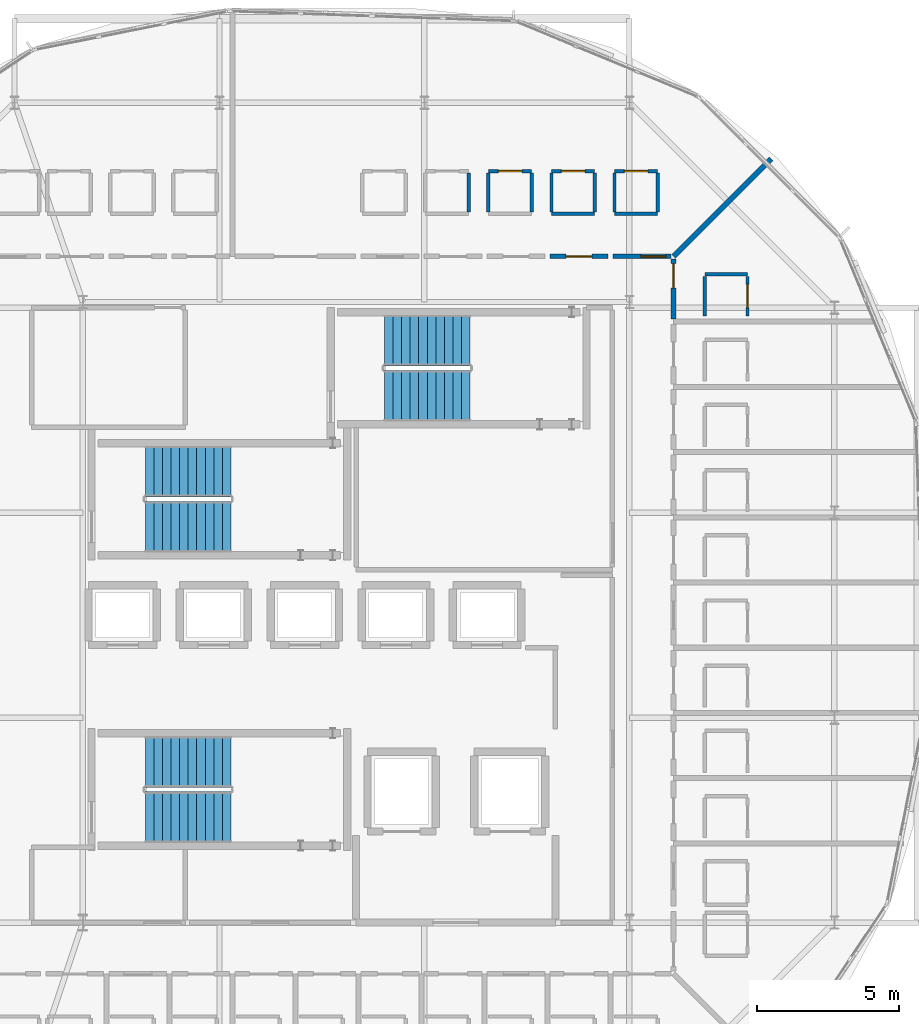
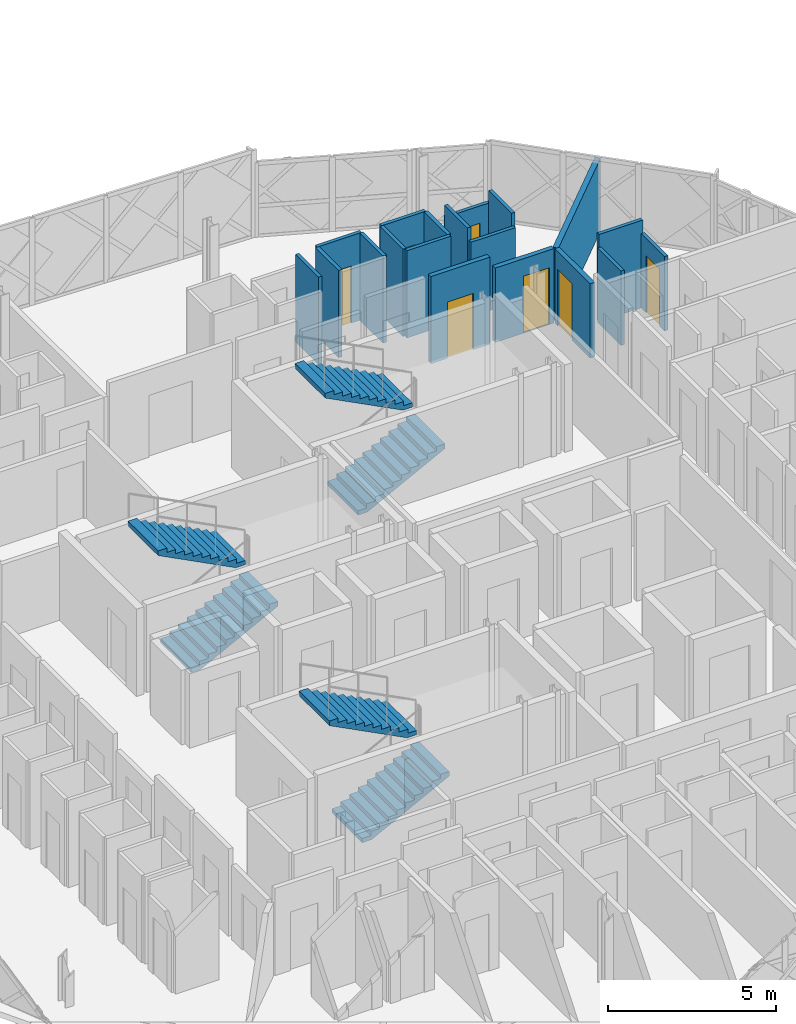
# One storey, part 20 of 25: 19 walls, 7 doors, 6 stair flights, 7 openings, 3 elements without a shape of their own.
"""IFC4 building model written with IfcOpenShell, lengths in metres."""

from ifc_helpers import new_model, si_unit, direction, frame, frame_2d, origin, place, context, subcontext, project, spatial, polyline, rectangle, outline, extrude, material, layer, layer_set, type_object, element, fill, aggregate, save


model = new_model("IFC4")

# Units and contexts
model_context = context("Model", 3, precision=1e-05, world=origin(), true_north=direction((0.0, 1.0)))
body_context = subcontext(model_context, "Body", "Model", "MODEL_VIEW")
ifc_project = project(units=[si_unit("LENGTHUNIT", "METRE"), si_unit("AREAUNIT", "SQUARE_METRE"), si_unit("VOLUMEUNIT", "CUBIC_METRE"), si_unit("PLANEANGLEUNIT", "RADIAN"), si_unit("MASSUNIT", "GRAM", prefix="KILO")], contexts=[model_context])

# Site, building, storey
site_placement = place(None, origin())
site = spatial("IfcSite", under=ifc_project, at=site_placement, CompositionType="ELEMENT")
building_placement = place(site_placement, origin())
building = spatial("IfcBuilding", under=site, at=building_placement, Name="Zevrakil Square Congress Hotel", CompositionType="ELEMENT")
storey_placement = place(building_placement, frame((0.0, 0.0, 28.300048828125)))
storey = spatial("IfcBuildingStorey", under=building, at=storey_placement, Name="L08", CompositionType="ELEMENT", Elevation=28.300048828125)

# Wall, opening, door
ifc_material_1 = material(Name="Gypsum Acoustic Stud Partition")
ifc_layer_1 = layer(ifc_material_1, 0.159912109375)
ifc_layer_set_1 = layer_set([ifc_layer_1], Name="Gypsum Acoustic Stud Partition")
wall_type_1 = type_object("IfcWallType", Name="WAL-CORR-160", PredefinedType="PARTITIONING", material=ifc_layer_set_1)
wall_1_placement = place(storey_placement, frame((157.550048828125, 38.004150390625, 0.0), z_axis=(0.0, 0.0, 1.0), x_axis=(0.0, 1.0, 0.0)))
wall_1 = element("IfcWall", 1, at=wall_1_placement, inside=storey, type_object=wall_type_1, Name="L08 interior partition PW-L08-1241", PredefinedType="PARTITIONING", context=body_context, shape_type="SweptSolid", body=[
    extrude(rectangle(XDim=2.100830078125, YDim=0.159912109375, at=frame_2d((1.05029296875, 0.0))), origin(), (0.0, 0.0, 1.0), 2.7099609375),
])
opening_1_placement = place(wall_1_placement, frame((1.0859375, 0.0, 0.0)))
opening_1 = element("IfcOpeningElement", 2, at=opening_1_placement, cuts=wall_1, Name="Opening ID-G01", PredefinedType="OPENING", context=body_context, shape_type="SweptSolid", body=[
    extrude(rectangle(XDim=0.85498046875, YDim=2.050048828125, at=frame_2d((0.427490234375, 1.02490234375))), frame((0.0, 0.08984375, 0.0), z_axis=(0.0, -1.0, 0.0), x_axis=(1.0, 0.0, 0.0)), (0.0, 0.0, 1.0), 0.179931640625),
])
ifc_material_2 = material(Name="Acoustic Timber Fire Door", Category="wood")
door_type_1 = type_object("IfcDoorType", Name="DOR-INT-G01", OperationType="NOTDEFINED", PredefinedType="DOOR", material=ifc_material_2)
door_1_placement = place(opening_1_placement, origin())
door_1 = element("IfcDoor", 3, at=door_1_placement, inside=storey, type_object=door_type_1, Name="L08 interior door 485", OperationType="SINGLE_SWING_LEFT", OverallHeight=2.050048828125, OverallWidth=0.85498046875, PredefinedType="DOOR", context=body_context, shape_type="SweptSolid", body=[
    extrude(rectangle(XDim=0.85498046875, YDim=2.050048828125, at=frame_2d((0.427490234375, 1.02490234375))), frame((0.0, 0.02490234375, 0.0), z_axis=(0.0, -1.0, 0.0), x_axis=(1.0, 0.0, 0.0)), (0.0, 0.0, 1.0), 0.050048828125),
])
fill(opening_1, door_1)

wall_2_placement = place(storey_placement, frame((155.431396484375, 40.199951171875, 0.0), z_axis=(0.0, 0.0, 1.0), x_axis=(1.0, 0.0, 0.0)))
wall_2 = element("IfcWall", 4, at=wall_2_placement, inside=storey, type_object=wall_type_1, Name="L08 interior partition PW-L08-1246", PredefinedType="PARTITIONING", context=body_context, shape_type="SweptSolid", body=[
    extrude(rectangle(XDim=2.023681640625, YDim=0.159912109375, at=frame_2d((1.01171875, 0.0))), origin(), (0.0, 0.0, 1.0), 2.7099609375),
])
opening_2_placement = place(wall_2_placement, frame((0.9755859375, 0.0, 0.0)))
opening_2 = element("IfcOpeningElement", 5, at=opening_2_placement, cuts=wall_2, Name="Opening ID-H04", PredefinedType="OPENING", context=body_context, shape_type="SweptSolid", body=[
    extrude(rectangle(XDim=0.887939453125, YDim=2.070068359375, at=frame_2d((0.44384765625, 1.03515625))), frame((0.0, 0.08984375, 0.0), z_axis=(0.0, -1.0, 0.0), x_axis=(1.0, 0.0, 0.0)), (0.0, 0.0, 1.0), 0.179931640625),
])
ifc_material_3 = material(Name="Acoustic Timber Fire Door", Category="wood")
door_type_2 = type_object("IfcDoorType", Name="DOR-INT-H04", OperationType="NOTDEFINED", PredefinedType="DOOR", material=ifc_material_3)
door_2_placement = place(opening_2_placement, origin())
door_2 = element("IfcDoor", 6, at=door_2_placement, inside=storey, type_object=door_type_2, Name="L08 interior door 487", OperationType="SINGLE_SWING_LEFT", OverallHeight=2.070068359375, OverallWidth=0.887939453125, PredefinedType="DOOR", context=body_context, shape_type="SweptSolid", body=[
    extrude(rectangle(XDim=0.887939453125, YDim=2.070068359375, at=frame_2d((0.44384765625, 1.03515625))), frame((0.0, 0.02490234375, 0.0), z_axis=(0.0, -1.0, 0.0), x_axis=(1.0, 0.0, 0.0)), (0.0, 0.0, 1.0), 0.050048828125),
])
fill(opening_2, door_2)

wall_3_placement = place(storey_placement, frame((153.2177734375, 40.199951171875, 0.0), z_axis=(0.0, 0.0, 1.0), x_axis=(1.0, 0.0, 0.0)))
wall_3 = element("IfcWall", 7, at=wall_3_placement, inside=storey, type_object=wall_type_1, Name="L08 interior partition PW-L08-1251", PredefinedType="PARTITIONING", context=body_context, shape_type="SweptSolid", body=[
    extrude(rectangle(XDim=2.023681640625, YDim=0.159912109375, at=frame_2d((1.01171875, 0.0))), origin(), (0.0, 0.0, 1.0), 3.175048828125),
])
opening_3_placement = place(wall_3_placement, frame((0.559326171875, 0.0, 0.0)))
opening_3 = element("IfcOpeningElement", 8, at=opening_3_placement, cuts=wall_3, Name="Opening ID-G03", PredefinedType="OPENING", context=body_context, shape_type="SweptSolid", body=[
    extrude(rectangle(XDim=0.905029296875, YDim=2.050048828125, at=frame_2d((0.45263671875, 1.02490234375))), frame((0.0, 0.08984375, 0.0), z_axis=(0.0, -1.0, 0.0), x_axis=(1.0, 0.0, 0.0)), (0.0, 0.0, 1.0), 0.179931640625),
])
ifc_material_4 = material(Name="Acoustic Timber Fire Door", Category="wood")
door_type_3 = type_object("IfcDoorType", Name="DOR-INT-G03", OperationType="NOTDEFINED", PredefinedType="DOOR", material=ifc_material_4)
door_3_placement = place(opening_3_placement, origin())
door_3 = element("IfcDoor", 9, at=door_3_placement, inside=storey, type_object=door_type_3, Name="L08 interior door 489", OperationType="SINGLE_SWING_LEFT", OverallHeight=2.050048828125, OverallWidth=0.905029296875, PredefinedType="DOOR", context=body_context, shape_type="SweptSolid", body=[
    extrude(rectangle(XDim=0.905029296875, YDim=2.050048828125, at=frame_2d((0.45263671875, 1.02490234375))), frame((0.0, 0.02490234375, 0.0), z_axis=(0.0, -1.0, 0.0), x_axis=(1.0, 0.0, 0.0)), (0.0, 0.0, 1.0), 0.050048828125),
])
fill(opening_3, door_3)

# Walls
ifc_material_5 = material(Name="Moisture-Resistant Gypsum Partition")
ifc_layer_2 = layer(ifc_material_5, 0.1201171875)
ifc_layer_set_2 = layer_set([ifc_layer_2], Name="Moisture-Resistant Gypsum Partition")
wall_type_2 = type_object("IfcWallType", Name="WAL-ENS-120", PredefinedType="PARTITIONING", material=ifc_layer_set_2)
wall_4_placement = place(storey_placement, frame((158.64990234375, 39.569091796875, 0.0), z_axis=(0.0, 0.0, 1.0), x_axis=(1.0, 0.0, 0.0)))
element("IfcWall", 10, at=wall_4_placement, inside=storey, type_object=wall_type_2, Name="L08 interior partition PW-L08-1242", PredefinedType="PARTITIONING", context=body_context, shape_type="SweptSolid", body=[
    extrude(rectangle(XDim=1.5, YDim=0.1201171875, at=frame_2d((0.75, 0.0))), origin(), (0.0, 0.0, 1.0), 3.175048828125),
])
wall_5_placement = place(storey_placement, frame((158.64990234375, 38.114013671875, 0.0), z_axis=(0.0, 0.0, 1.0), x_axis=(0.0, 1.0, 0.0)))
element("IfcWall", 11, at=wall_5_placement, inside=storey, type_object=wall_type_2, Name="L08 interior partition PW-L08-1243", PredefinedType="PARTITIONING", context=body_context, shape_type="SweptSolid", body=[
    extrude(rectangle(XDim=1.39013671875, YDim=0.1201171875, at=frame_2d((0.695068359375, 0.0))), origin(), (0.0, 0.0, 1.0), 2.7099609375),
])

# Wall, opening, door
wall_6_placement = place(storey_placement, frame((160.14990234375, 38.114013671875, 0.0), z_axis=(0.0, 0.0, 1.0), x_axis=(0.0, 1.0, 0.0)))
wall_6 = element("IfcWall", 12, at=wall_6_placement, inside=storey, type_object=wall_type_2, Name="L08 interior partition PW-L08-1244", PredefinedType="PARTITIONING", context=body_context, shape_type="SweptSolid", body=[
    extrude(rectangle(XDim=1.39013671875, YDim=0.1201171875, at=frame_2d((0.695068359375, 0.0))), origin(), (0.0, 0.0, 1.0), 2.7099609375),
])
opening_4_placement = place(wall_6_placement, frame((0.284912109375, 0.0, 0.0)))
opening_4 = element("IfcOpeningElement", 13, at=opening_4_placement, cuts=wall_6, Name="Opening ID-11", PredefinedType="OPENING", context=body_context, shape_type="SweptSolid", body=[
    extrude(rectangle(XDim=0.820068359375, YDim=2.080078125, at=frame_2d((0.41015625, 1.0400390625))), frame((0.0, 0.070068359375, 0.0), z_axis=(0.0, -1.0, 0.0), x_axis=(1.0, 0.0, 0.0)), (0.0, 0.0, 1.0), 0.14013671875),
])
ifc_material_6 = material(Name="Acoustic Timber Door", Category="wood")
door_type_4 = type_object("IfcDoorType", Name="DOR-INT-V01", OperationType="NOTDEFINED", PredefinedType="DOOR", material=ifc_material_6)
door_4_placement = place(opening_4_placement, origin())
door_4 = element("IfcDoor", 14, at=door_4_placement, inside=storey, type_object=door_type_4, Name="L08 interior door 486", OperationType="SINGLE_SWING_RIGHT", OverallHeight=2.080078125, OverallWidth=0.820068359375, PredefinedType="DOOR", context=body_context, shape_type="SweptSolid", body=[
    extrude(rectangle(XDim=0.820068359375, YDim=2.080078125, at=frame_2d((0.41015625, 1.0400390625))), frame((0.0, 0.02490234375, 0.0), z_axis=(0.0, -1.0, 0.0), x_axis=(1.0, 0.0, 0.0)), (0.0, 0.0, 1.0), 0.050048828125),
])
fill(opening_4, door_4)

# Wall
wall_7_placement = place(storey_placement, frame((155.476318359375, 41.699951171875, 0.0), z_axis=(0.0, 0.0, 1.0), x_axis=(1.0, 0.0, 0.0)))
element("IfcWall", 15, at=wall_7_placement, inside=storey, type_object=wall_type_2, Name="L08 interior partition PW-L08-1247", PredefinedType="PARTITIONING", context=body_context, shape_type="SweptSolid", body=[
    extrude(rectangle(XDim=1.52001953125, YDim=0.1201171875, at=frame_2d((0.760009765625, 0.0))), origin(), (0.0, 0.0, 1.0), 2.7099609375),
])

# Wall, opening, door
wall_8_placement = place(storey_placement, frame((155.476318359375, 43.199951171875, 0.0), z_axis=(0.0, 0.0, 1.0), x_axis=(1.0, 0.0, 0.0)))
wall_8 = element("IfcWall", 16, at=wall_8_placement, inside=storey, type_object=wall_type_2, Name="L08 interior partition PW-L08-1248", PredefinedType="PARTITIONING", context=body_context, shape_type="SweptSolid", body=[
    extrude(rectangle(XDim=1.52001953125, YDim=0.1201171875, at=frame_2d((0.760009765625, 0.0))), origin(), (0.0, 0.0, 1.0), 2.7099609375),
])
opening_5_placement = place(wall_8_placement, frame((0.35009765625, 0.0, 0.0)))
opening_5 = element("IfcOpeningElement", 17, at=opening_5_placement, cuts=wall_8, Name="Opening ID-11", PredefinedType="OPENING", context=body_context, shape_type="SweptSolid", body=[
    extrude(rectangle(XDim=0.820068359375, YDim=2.080078125, at=frame_2d((0.41015625, 1.0400390625))), frame((0.0, 0.070068359375, 0.0), z_axis=(0.0, -1.0, 0.0), x_axis=(1.0, 0.0, 0.0)), (0.0, 0.0, 1.0), 0.14013671875),
])
door_5_placement = place(opening_5_placement, origin())
door_5 = element("IfcDoor", 18, at=door_5_placement, inside=storey, type_object=door_type_4, Name="L08 interior door 488", OperationType="SINGLE_SWING_RIGHT", OverallHeight=2.080078125, OverallWidth=0.820068359375, PredefinedType="DOOR", context=body_context, shape_type="SweptSolid", body=[
    extrude(rectangle(XDim=0.820068359375, YDim=2.080078125, at=frame_2d((0.41015625, 1.0400390625))), frame((0.0, 0.02490234375, 0.0), z_axis=(0.0, -1.0, 0.0), x_axis=(1.0, 0.0, 0.0)), (0.0, 0.0, 1.0), 0.050048828125),
])
fill(opening_5, door_5)

# Walls
for number, where, z_axis, x_axis, name in (
    (19, (155.476318359375, 41.764892578125, 0.0), (0.0, 0.0, 1.0), (0.0, 1.0, 0.0), "L08 interior partition PW-L08-1249"),
    (20, (156.996337890625, 41.764892578125, 0.0), (0.0, 0.0, 1.0), (0.0, 1.0, 0.0), "L08 interior partition PW-L08-1250"),
):
    element("IfcWall", number, at=place(storey_placement, frame(where, z_axis=z_axis, x_axis=x_axis)), inside=storey, type_object=wall_type_2, Name=name, PredefinedType="PARTITIONING", context=body_context, shape_type="SweptSolid", body=[
        extrude(rectangle(XDim=1.3701171875, YDim=0.1201171875, at=frame_2d((0.68505859375, 0.0))), origin(), (0.0, 0.0, 1.0), 3.175048828125),
    ])
wall_9_placement = place(storey_placement, frame((153.2626953125, 41.699951171875, 0.0), z_axis=(0.0, 0.0, 1.0), x_axis=(1.0, 0.0, 0.0)))
element("IfcWall", 21, at=wall_9_placement, inside=storey, type_object=wall_type_2, Name="L08 interior partition PW-L08-1252", PredefinedType="PARTITIONING", context=body_context, shape_type="SweptSolid", body=[
    extrude(rectangle(XDim=1.52001953125, YDim=0.1201171875, at=frame_2d((0.760009765625, 0.0))), origin(), (0.0, 0.0, 1.0), 3.175048828125),
])

# Wall, opening, door
wall_10_placement = place(storey_placement, frame((153.2626953125, 43.199951171875, 0.0), z_axis=(0.0, 0.0, 1.0), x_axis=(1.0, 0.0, 0.0)))
wall_10 = element("IfcWall", 22, at=wall_10_placement, inside=storey, type_object=wall_type_2, Name="L08 interior partition PW-L08-1253", PredefinedType="PARTITIONING", context=body_context, shape_type="SweptSolid", body=[
    extrude(rectangle(XDim=1.52001953125, YDim=0.1201171875, at=frame_2d((0.760009765625, 0.0))), origin(), (0.0, 0.0, 1.0), 3.175048828125),
])
opening_6_placement = place(wall_10_placement, frame((0.35009765625, 0.0, 0.0)))
opening_6 = element("IfcOpeningElement", 23, at=opening_6_placement, cuts=wall_10, Name="Opening ID-11", PredefinedType="OPENING", context=body_context, shape_type="SweptSolid", body=[
    extrude(rectangle(XDim=0.820068359375, YDim=2.080078125, at=frame_2d((0.41015625, 1.0400390625))), frame((0.0, 0.070068359375, 0.0), z_axis=(0.0, -1.0, 0.0), x_axis=(1.0, 0.0, 0.0)), (0.0, 0.0, 1.0), 0.14013671875),
])
door_6_placement = place(opening_6_placement, origin())
door_6 = element("IfcDoor", 24, at=door_6_placement, inside=storey, type_object=door_type_4, Name="L08 interior door 490", OperationType="SINGLE_SWING_RIGHT", OverallHeight=2.080078125, OverallWidth=0.820068359375, PredefinedType="DOOR", context=body_context, shape_type="SweptSolid", body=[
    extrude(rectangle(XDim=0.820068359375, YDim=2.080078125, at=frame_2d((0.41015625, 1.0400390625))), frame((0.0, 0.02490234375, 0.0), z_axis=(0.0, -1.0, 0.0), x_axis=(1.0, 0.0, 0.0)), (0.0, 0.0, 1.0), 0.050048828125),
])
fill(opening_6, door_6)

# Walls
for number, where, z_axis, x_axis, name in (
    (25, (153.2626953125, 41.764892578125, 0.0), (0.0, 0.0, 1.0), (0.0, 1.0, 0.0), "L08 interior partition PW-L08-1254"),
    (26, (154.78271484375, 41.764892578125, 0.0), (0.0, 0.0, 1.0), (0.0, 1.0, 0.0), "L08 interior partition PW-L08-1255"),
):
    element("IfcWall", number, at=place(storey_placement, frame(where, z_axis=z_axis, x_axis=x_axis)), inside=storey, type_object=wall_type_2, Name=name, PredefinedType="PARTITIONING", context=body_context, shape_type="SweptSolid", body=[
        extrude(rectangle(XDim=1.3701171875, YDim=0.1201171875, at=frame_2d((0.68505859375, 0.0))), origin(), (0.0, 0.0, 1.0), 3.175048828125),
    ])

# Wall, opening, door
wall_11_placement = place(storey_placement, frame((151.049072265625, 43.199951171875, 0.0), z_axis=(0.0, 0.0, 1.0), x_axis=(1.0, 0.0, 0.0)))
wall_11 = element("IfcWall", 27, at=wall_11_placement, inside=storey, type_object=wall_type_2, Name="L08 interior partition PW-L08-1258", PredefinedType="PARTITIONING", context=body_context, shape_type="SweptSolid", body=[
    extrude(rectangle(XDim=1.52001953125, YDim=0.1201171875, at=frame_2d((0.760009765625, 0.0))), origin(), (0.0, 0.0, 1.0), 3.175048828125),
])
opening_7_placement = place(wall_11_placement, frame((0.35009765625, 0.0, 0.0)))
opening_7 = element("IfcOpeningElement", 28, at=opening_7_placement, cuts=wall_11, Name="Opening ID-11", PredefinedType="OPENING", context=body_context, shape_type="SweptSolid", body=[
    extrude(rectangle(XDim=0.820068359375, YDim=2.080078125, at=frame_2d((0.41015625, 1.0400390625))), frame((0.0, 0.070068359375, 0.0), z_axis=(0.0, -1.0, 0.0), x_axis=(1.0, 0.0, 0.0)), (0.0, 0.0, 1.0), 0.14013671875),
])
door_7_placement = place(opening_7_placement, origin())
door_7 = element("IfcDoor", 29, at=door_7_placement, inside=storey, type_object=door_type_4, Name="L08 interior door 492", OperationType="SINGLE_SWING_RIGHT", OverallHeight=2.080078125, OverallWidth=0.820068359375, PredefinedType="DOOR", context=body_context, shape_type="SweptSolid", body=[
    extrude(rectangle(XDim=0.820068359375, YDim=2.080078125, at=frame_2d((0.41015625, 1.0400390625))), frame((0.0, 0.02490234375, 0.0), z_axis=(0.0, -1.0, 0.0), x_axis=(1.0, 0.0, 0.0)), (0.0, 0.0, 1.0), 0.050048828125),
])
fill(opening_7, door_7)

# Walls
for number, where, z_axis, x_axis, name in (
    (30, (151.049072265625, 41.764892578125, 0.0), (0.0, 0.0, 1.0), (0.0, 1.0, 0.0), "L08 interior partition PW-L08-1259"),
    (31, (152.569091796875, 41.764892578125, 0.0), (0.0, 0.0, 1.0), (0.0, 1.0, 0.0), "L08 interior partition PW-L08-1260"),
    (32, (150.35546875, 41.764892578125, 0.0), (0.0, 0.0, 1.0), (0.0, 1.0, 0.0), "L08 interior partition PW-L08-1265"),
):
    element("IfcWall", number, at=place(storey_placement, frame(where, z_axis=z_axis, x_axis=x_axis)), inside=storey, type_object=wall_type_2, Name=name, PredefinedType="PARTITIONING", context=body_context, shape_type="SweptSolid", body=[
        extrude(rectangle(XDim=1.3701171875, YDim=0.1201171875, at=frame_2d((0.68505859375, 0.0))), origin(), (0.0, 0.0, 1.0), 3.175048828125),
    ])
ifc_material_7 = material(Name="Gypsum Twin-Stud Party Partition")
ifc_layer_3 = layer(ifc_material_7, 0.179931640625)
ifc_layer_set_3 = layer_set([ifc_layer_3], Name="Gypsum Twin-Stud Party Partition")
wall_type_3 = type_object("IfcWallType", Name="WAL-PARTY-180", PredefinedType="PARTITIONING", material=ifc_layer_set_3)
wall_12_placement = place(storey_placement, frame((157.550048828125, 40.199951171875, 0.0), z_axis=(0.0, 0.0, 1.0), x_axis=(0.707106781187, 0.707106781187, 0.0)))
element("IfcWall", 33, at=wall_12_placement, inside=storey, type_object=wall_type_3, Name="L08 interior partition PW-L08-1245", PredefinedType="PARTITIONING", context=body_context, shape_type="SweptSolid", body=[
    extrude(rectangle(XDim=4.844482421875, YDim=0.179931640625, at=frame_2d((2.42236328125, 0.0))), origin(), (0.0, 0.0, 1.0), 2.659912109375),
])

# Stair, stair flights
ifc_material_8 = material(Name="Concrete C35/45", Category="concrete")
stair_type = type_object("IfcStairType", Name="STR-DOGLEG-180", PredefinedType="HALF_TURN_STAIR", material=ifc_material_8)
stair_1_placement = place(storey_placement, origin())
stair_1 = element("IfcStair", 34, at=stair_1_placement, inside=storey, type_object=stair_type, Name="L08 Protected exit stair ST01", PredefinedType="HALF_TURN_STAIR")
ifc_material_9 = material(Name="Concrete C35/45", Category="concrete")
ifc_layer_4 = layer(ifc_material_9, 0.159912109375)
ifc_layer_set_4 = layer_set([ifc_layer_4], Name="Concrete C35/45")
stair_flight_type = type_object("IfcStairFlightType", Name="SFL-STRAIGHT-180", PredefinedType="STRAIGHT", material=ifc_layer_set_4)
stair_flight_1_placement = place(storey_placement, frame((139.0, 20.5, 0.0), z_axis=(0.0, 0.0, 1.0), x_axis=(1.0, 0.0, 0.0)))
stair_flight_1 = element("IfcStairFlight", 35, at=stair_flight_1_placement, type_object=stair_flight_type, Name="ST01 flight 1", NumberOfRisers=11, NumberOfTreads=10, PredefinedType="STRAIGHT", RiserHeight=0.154545455, TreadLength=0.3, context=body_context, shape_type="SweptSolid", body=[
    extrude(outline(polyline([(0.0, 0.0), (0.0, 0.154541015625), (0.300048828125, 0.154541015625), (0.300048828125, 0.30908203125), (0.60009765625, 0.30908203125), (0.60009765625, 0.463623046875), (0.89990234375, 0.463623046875), (0.89990234375, 0.6181640625), (1.199951171875, 0.6181640625), (1.199951171875, 0.772705078125), (1.5, 0.772705078125), (1.5, 0.92724609375), (1.800048828125, 0.92724609375), (1.800048828125, 1.081787109375), (2.10009765625, 1.081787109375), (2.10009765625, 1.236328125), (2.39990234375, 1.236328125), (2.39990234375, 1.390869140625), (2.699951171875, 1.390869140625), (2.699951171875, 1.54541015625), (3.0, 1.54541015625), (3.0, 1.699951171875), (3.0, 1.376708984375), (0.327392578125, 0.0), (0.0, 0.0)])), frame((0.0, 0.89990234375, 0.0), z_axis=(0.0, -1.0, 0.0), x_axis=(1.0, 0.0, 0.0)), (0.0, 0.0, 1.0), 1.800048828125),
])
stair_flight_2_placement = place(storey_placement, frame((142.0, 22.449951171875, 1.699951171875), z_axis=(0.0, 0.0, 1.0), x_axis=(-1.0, 0.0, 0.0)))
stair_flight_2 = element("IfcStairFlight", 36, at=stair_flight_2_placement, type_object=stair_flight_type, Name="ST01 flight 2", NumberOfRisers=11, NumberOfTreads=10, PredefinedType="STRAIGHT", RiserHeight=0.154545455, TreadLength=0.3, context=body_context, shape_type="SweptSolid", body=[
    extrude(outline(polyline([(0.0, 0.0), (0.0, 0.154541015625), (0.300048828125, 0.154541015625), (0.300048828125, 0.30908203125), (0.60009765625, 0.30908203125), (0.60009765625, 0.463623046875), (0.89990234375, 0.463623046875), (0.89990234375, 0.6181640625), (1.199951171875, 0.6181640625), (1.199951171875, 0.772705078125), (1.5, 0.772705078125), (1.5, 0.92724609375), (1.800048828125, 0.92724609375), (1.800048828125, 1.081787109375), (2.10009765625, 1.081787109375), (2.10009765625, 1.236328125), (2.39990234375, 1.236328125), (2.39990234375, 1.390869140625), (2.699951171875, 1.390869140625), (2.699951171875, 1.54541015625), (3.0, 1.54541015625), (3.0, 1.699951171875), (3.0, 1.376708984375), (0.327392578125, 0.0), (0.0, 0.0)])), frame((0.0, 0.89990234375, 0.0), z_axis=(0.0, -1.0, 0.0), x_axis=(1.0, 0.0, 0.0)), (0.0, 0.0, 1.0), 1.800048828125),
])
aggregate(stair_1, [stair_flight_1, stair_flight_2])

stair_2_placement = place(storey_placement, origin())
stair_2 = element("IfcStair", 37, at=stair_2_placement, inside=storey, type_object=stair_type, Name="L08 Protected exit stair ST02", PredefinedType="HALF_TURN_STAIR")
stair_flight_3_placement = place(storey_placement, frame((139.0, 30.699951171875, 0.0), z_axis=(0.0, 0.0, 1.0), x_axis=(1.0, 0.0, 0.0)))
stair_flight_3 = element("IfcStairFlight", 38, at=stair_flight_3_placement, type_object=stair_flight_type, Name="ST02 flight 1", NumberOfRisers=11, NumberOfTreads=10, PredefinedType="STRAIGHT", RiserHeight=0.154545455, TreadLength=0.3, context=body_context, shape_type="SweptSolid", body=[
    extrude(outline(polyline([(0.0, 0.0), (0.0, 0.154541015625), (0.300048828125, 0.154541015625), (0.300048828125, 0.30908203125), (0.60009765625, 0.30908203125), (0.60009765625, 0.463623046875), (0.89990234375, 0.463623046875), (0.89990234375, 0.6181640625), (1.199951171875, 0.6181640625), (1.199951171875, 0.772705078125), (1.5, 0.772705078125), (1.5, 0.92724609375), (1.800048828125, 0.92724609375), (1.800048828125, 1.081787109375), (2.10009765625, 1.081787109375), (2.10009765625, 1.236328125), (2.39990234375, 1.236328125), (2.39990234375, 1.390869140625), (2.699951171875, 1.390869140625), (2.699951171875, 1.54541015625), (3.0, 1.54541015625), (3.0, 1.699951171875), (3.0, 1.376708984375), (0.327392578125, 0.0), (0.0, 0.0)])), frame((0.0, 0.89990234375, 0.0), z_axis=(0.0, -1.0, 0.0), x_axis=(1.0, 0.0, 0.0)), (0.0, 0.0, 1.0), 1.800048828125),
])
stair_flight_4_placement = place(storey_placement, frame((142.0, 32.64990234375, 1.699951171875), z_axis=(0.0, 0.0, 1.0), x_axis=(-1.0, 0.0, 0.0)))
stair_flight_4 = element("IfcStairFlight", 39, at=stair_flight_4_placement, type_object=stair_flight_type, Name="ST02 flight 2", NumberOfRisers=11, NumberOfTreads=10, PredefinedType="STRAIGHT", RiserHeight=0.154545455, TreadLength=0.3, context=body_context, shape_type="SweptSolid", body=[
    extrude(outline(polyline([(0.0, 0.0), (0.0, 0.154541015625), (0.300048828125, 0.154541015625), (0.300048828125, 0.30908203125), (0.60009765625, 0.30908203125), (0.60009765625, 0.463623046875), (0.89990234375, 0.463623046875), (0.89990234375, 0.6181640625), (1.199951171875, 0.6181640625), (1.199951171875, 0.772705078125), (1.5, 0.772705078125), (1.5, 0.92724609375), (1.800048828125, 0.92724609375), (1.800048828125, 1.081787109375), (2.10009765625, 1.081787109375), (2.10009765625, 1.236328125), (2.39990234375, 1.236328125), (2.39990234375, 1.390869140625), (2.699951171875, 1.390869140625), (2.699951171875, 1.54541015625), (3.0, 1.54541015625), (3.0, 1.699951171875), (3.0, 1.376708984375), (0.327392578125, 0.0), (0.0, 0.0)])), frame((0.0, 0.89990234375, 0.0), z_axis=(0.0, -1.0, 0.0), x_axis=(1.0, 0.0, 0.0)), (0.0, 0.0, 1.0), 1.800048828125),
])
aggregate(stair_2, [stair_flight_3, stair_flight_4])

stair_3_placement = place(storey_placement, origin())
stair_3 = element("IfcStair", 40, at=stair_3_placement, inside=storey, type_object=stair_type, Name="L08 Protected exit stair ST03", PredefinedType="HALF_TURN_STAIR")
stair_flight_5_placement = place(storey_placement, frame((147.39990234375, 35.300048828125, 0.0), z_axis=(0.0, 0.0, 1.0), x_axis=(1.0, 0.0, 0.0)))
stair_flight_5 = element("IfcStairFlight", 41, at=stair_flight_5_placement, type_object=stair_flight_type, Name="ST03 flight 1", NumberOfRisers=11, NumberOfTreads=10, PredefinedType="STRAIGHT", RiserHeight=0.154545455, TreadLength=0.3, context=body_context, shape_type="SweptSolid", body=[
    extrude(outline(polyline([(0.0, 0.0), (0.0, 0.154541015625), (0.300048828125, 0.154541015625), (0.300048828125, 0.30908203125), (0.60009765625, 0.30908203125), (0.60009765625, 0.463623046875), (0.89990234375, 0.463623046875), (0.89990234375, 0.6181640625), (1.199951171875, 0.6181640625), (1.199951171875, 0.772705078125), (1.5, 0.772705078125), (1.5, 0.92724609375), (1.800048828125, 0.92724609375), (1.800048828125, 1.081787109375), (2.10009765625, 1.081787109375), (2.10009765625, 1.236328125), (2.39990234375, 1.236328125), (2.39990234375, 1.390869140625), (2.699951171875, 1.390869140625), (2.699951171875, 1.54541015625), (3.0, 1.54541015625), (3.0, 1.699951171875), (3.0, 1.376708984375), (0.327392578125, 0.0), (0.0, 0.0)])), frame((0.0, 0.89990234375, 0.0), z_axis=(0.0, -1.0, 0.0), x_axis=(1.0, 0.0, 0.0)), (0.0, 0.0, 1.0), 1.800048828125),
])
stair_flight_6_placement = place(storey_placement, frame((150.39990234375, 37.25, 1.699951171875), z_axis=(0.0, 0.0, 1.0), x_axis=(-1.0, 0.0, 0.0)))
stair_flight_6 = element("IfcStairFlight", 42, at=stair_flight_6_placement, type_object=stair_flight_type, Name="ST03 flight 2", NumberOfRisers=11, NumberOfTreads=10, PredefinedType="STRAIGHT", RiserHeight=0.154545455, TreadLength=0.3, context=body_context, shape_type="SweptSolid", body=[
    extrude(outline(polyline([(0.0, 0.0), (0.0, 0.154541015625), (0.300048828125, 0.154541015625), (0.300048828125, 0.30908203125), (0.60009765625, 0.30908203125), (0.60009765625, 0.463623046875), (0.89990234375, 0.463623046875), (0.89990234375, 0.6181640625), (1.199951171875, 0.6181640625), (1.199951171875, 0.772705078125), (1.5, 0.772705078125), (1.5, 0.92724609375), (1.800048828125, 0.92724609375), (1.800048828125, 1.081787109375), (2.10009765625, 1.081787109375), (2.10009765625, 1.236328125), (2.39990234375, 1.236328125), (2.39990234375, 1.390869140625), (2.699951171875, 1.390869140625), (2.699951171875, 1.54541015625), (3.0, 1.54541015625), (3.0, 1.699951171875), (3.0, 1.376708984375), (0.327392578125, 0.0), (0.0, 0.0)])), frame((0.0, 0.89990234375, 0.0), z_axis=(0.0, -1.0, 0.0), x_axis=(1.0, 0.0, 0.0)), (0.0, 0.0, 1.0), 1.800048828125),
])
aggregate(stair_3, [stair_flight_5, stair_flight_6])

save(model, "model.ifc")
